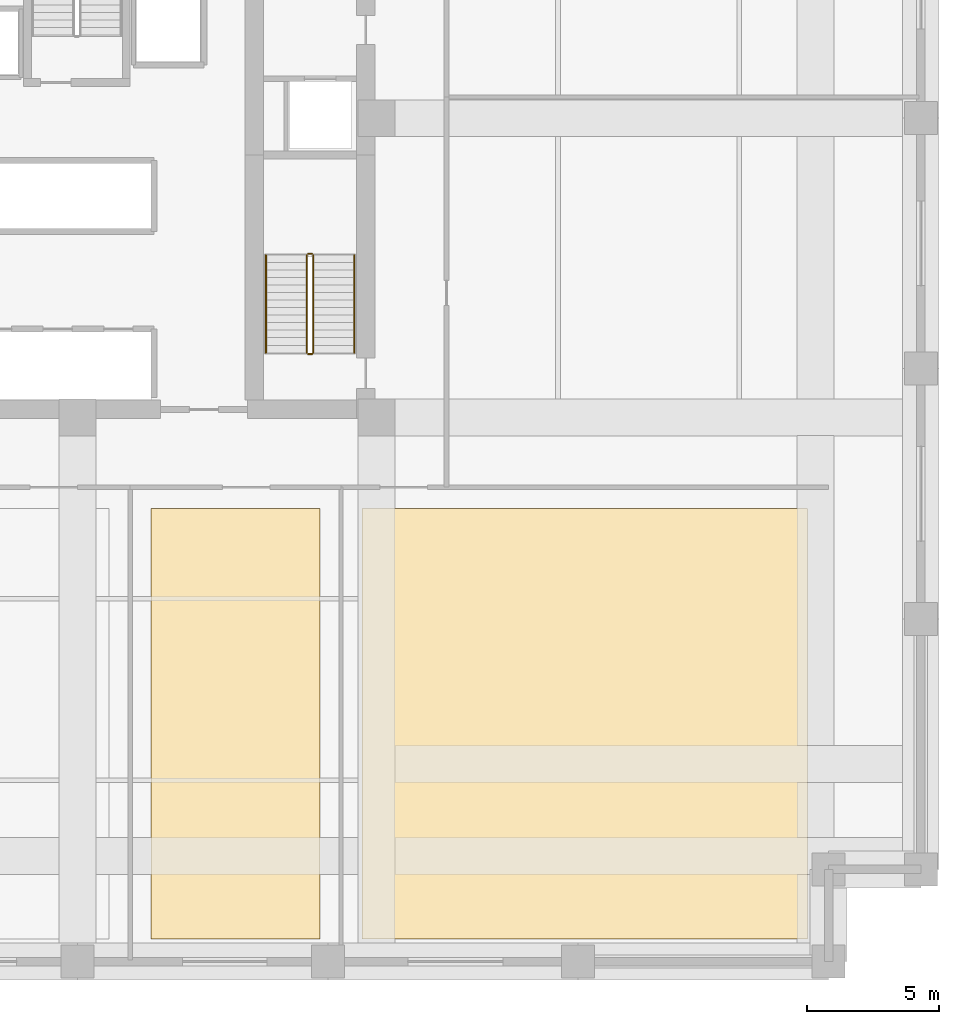
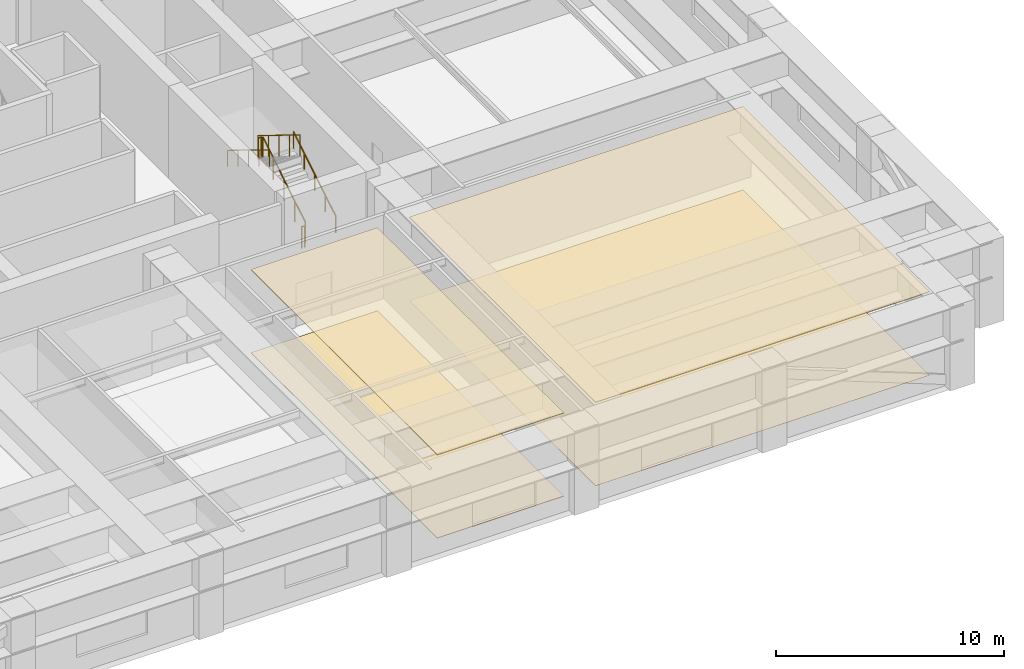
# One storey, part 7 of 8: 6 railings, 4 coverings.
"""IFC4 building model written with IfcOpenShell, lengths in metres."""

import ifcopenshell
import ifcopenshell.guid

model = None  # the IFC model being written
_history = None  # IfcOwnerHistory: only IFC2X3 demands one
_inside = {}  # id of a spatial element -> (the spatial element, [elements in it])
_under = {}  # id of a project, library or spatial element -> (it, [spatial elements below it])
_declared = {}  # id of a project -> (the project, [libraries it declares])
_typed = {}  # id of a type object -> (the type object, [elements of that type])
_made_of = {}  # id of a material, layer set ... -> (it, [elements and type objects made of it])


def new_model(schema):
    """Start an empty IFC model of exactly this schema.

    Asked for "IFC4X3", IfcOpenShell would pick the latest addendum, in which some entities
    have other attributes; the version numbers below select the first issue.
    IFC2X3 requires an IfcOwnerHistory on every rooted entity: one is made here for all.
    """
    global model, _history
    if schema == "IFC4X3":
        model = ifcopenshell.file(schema_version=(4, 3, 0, 0))
    else:
        model = ifcopenshell.file(schema=schema)
    _inside.clear()
    _under.clear()
    _declared.clear()
    _typed.clear()
    _made_of.clear()
    _history = None
    if model.schema == "IFC2X3":
        org = make("IfcOrganization", Name="unknown")
        user = make(
            "IfcPersonAndOrganization",
            ThePerson=make("IfcPerson", FamilyName="unknown"),
            TheOrganization=org,
        )
        app = make(
            "IfcApplication",
            ApplicationDeveloper=org,
            Version="unknown",
            ApplicationFullName="unknown",
            ApplicationIdentifier="unknown",
        )
        _history = make(
            "IfcOwnerHistory",
            OwningUser=user,
            OwningApplication=app,
            ChangeAction="ADDED",
            CreationDate=0,
        )
    return model


def make(cls, **values):
    """One entity of the class cls with the attributes given. An attribute that is None is left unset."""
    return model.create_entity(
        cls, **{name: value for name, value in values.items() if value is not None}
    )


def rooted(cls, **values):
    """An entity with a GlobalId (a new one), such as an element, a storey or a relation."""
    return make(cls, GlobalId=ifcopenshell.guid.new(), OwnerHistory=_history, **values)


def si_unit(unit_type, name, prefix=None):
    """IfcSIUnit, for example si_unit("LENGTHUNIT", "METRE", prefix="MILLI")."""
    return make("IfcSIUnit", UnitType=unit_type, Prefix=prefix, Name=name)


def assignment(units):
    """IfcUnitAssignment: the units of a project."""
    return None if units is None else make("IfcUnitAssignment", Units=units)


def point(xyz):
    """IfcCartesianPoint."""
    return None if xyz is None else make("IfcCartesianPoint", Coordinates=xyz)


def direction(xyz):
    """IfcDirection."""
    return None if xyz is None else make("IfcDirection", DirectionRatios=xyz)


def frame(location, z_axis=None, x_axis=None):
    """IfcAxis2Placement3D, a coordinate frame: its origin and axes. An axis left out is left unset."""
    return make(
        "IfcAxis2Placement3D",
        Location=point(location),
        Axis=direction(z_axis),
        RefDirection=direction(x_axis),
    )


def frame_2d(location, x_axis=None):
    """IfcAxis2Placement2D, a coordinate frame in the plane: its origin and x axis."""
    return make(
        "IfcAxis2Placement2D", Location=point(location), RefDirection=direction(x_axis)
    )


def origin():
    """The frame at (0, 0, 0) with its axes left unset."""
    return frame((0.0, 0.0, 0.0))


def origin_2d():
    """The frame at (0, 0) in the plane with its x axis left unset."""
    return frame_2d((0.0, 0.0))


def place(relative_to, where):
    """IfcLocalPlacement: puts the frame where relative to a parent placement (None: the world)."""
    return make(
        "IfcLocalPlacement", PlacementRelTo=relative_to, RelativePlacement=where
    )


def context(
    kind, dimensions, precision=None, world=None, true_north=None, identifier=None
):
    """IfcGeometricRepresentationContext, for example the 3D "Model" context."""
    return make(
        "IfcGeometricRepresentationContext",
        ContextIdentifier=identifier,
        ContextType=kind,
        CoordinateSpaceDimension=dimensions,
        Precision=precision,
        WorldCoordinateSystem=world,
        TrueNorth=true_north,
    )


def subcontext(parent, identifier, kind, view, scale=None):
    """IfcGeometricRepresentationSubContext, for example "Body" below "Model"."""
    return make(
        "IfcGeometricRepresentationSubContext",
        ContextIdentifier=identifier,
        ContextType=kind,
        ParentContext=parent,
        TargetScale=scale,
        TargetView=view,
    )


def project(units=None, contexts=None):
    """IfcProject with its units and contexts."""
    return rooted(
        "IfcProject",
        Name="project",
        RepresentationContexts=contexts,
        UnitsInContext=assignment(units),
    )


def spatial(cls, under=None, at=None, **own):
    """A site, building, storey or space (cls), placed at a placement, below another one or the project."""
    s = rooted(cls, ObjectPlacement=at, **own)
    if under is not None:
        _under.setdefault(under.id(), (under, []))[1].append(s)
    return s


def polyline(points):
    """IfcPolyline through the points."""
    return make("IfcPolyline", Points=[point(p) for p in points])


def profile(cls, at=None, kind="AREA", **sizes):
    """A parametric profile (cls). Its sizes go by their IFC names, for example OverallWidth=200.0."""
    return make(cls, ProfileType=kind, Position=at, **sizes)


def circle(**sizes):
    """IfcCircleProfileDef."""
    return profile("IfcCircleProfileDef", **sizes)


def outline(outer, holes=None, kind="AREA"):
    """IfcArbitraryClosedProfileDef: a profile drawn as a closed curve; with holes, ...WithVoids."""
    if holes is None:
        return make("IfcArbitraryClosedProfileDef", ProfileType=kind, OuterCurve=outer)
    return make(
        "IfcArbitraryProfileDefWithVoids",
        ProfileType=kind,
        OuterCurve=outer,
        InnerCurves=holes,
    )


def extrude(swept, where, along, depth):
    """IfcExtrudedAreaSolid: the profile swept, set in the frame where, extruded along a direction by depth."""
    return make(
        "IfcExtrudedAreaSolid",
        SweptArea=swept,
        Position=where,
        ExtrudedDirection=direction(along),
        Depth=depth,
    )


def shape(context_of_items, identifier, shape_type, items):
    """IfcShapeRepresentation: the items that make up one representation, for example the "Body"."""
    return make(
        "IfcShapeRepresentation",
        ContextOfItems=context_of_items,
        RepresentationIdentifier=identifier,
        RepresentationType=shape_type,
        Items=items,
    )


def material(Name=None, Category=None):
    """IfcMaterial."""
    return make("IfcMaterial", Name=Name, Category=Category)


def layer(
    of_material, thickness, ventilated=None, Name=None, Category=None, Priority=None
):
    """IfcMaterialLayer: one layer of a wall or slab, of a material (None: an air gap)."""
    return make(
        "IfcMaterialLayer",
        Material=of_material,
        LayerThickness=thickness,
        IsVentilated=ventilated,
        Name=Name,
        Category=Category,
        Priority=Priority,
    )


def layer_set(layers, Name=None):
    """IfcMaterialLayerSet."""
    return make("IfcMaterialLayerSet", MaterialLayers=layers, LayerSetName=Name)


def made_of(thing, what):
    """Note that an element or type object is made of a material, layer set ...; save() writes the relation."""
    if what is not None:
        _made_of.setdefault(what.id(), (what, []))[1].append(thing)
    return thing


def type_object(cls, material=None, **own):
    """A type object (cls), such as IfcWallType, which elements share."""
    return made_of(rooted(cls, **own), material)


def element(
    cls,
    number,
    at=None,
    inside=None,
    cuts=None,
    type_object=None,
    material=None,
    context=None,
    identifier="Body",
    shape_type=None,
    held_by="IfcProductDefinitionShape",
    body=None,
    shapes=None,
    **own,
):
    """One element of the class cls, such as IfcWall. Its Tag is "e" and its number.

    at: its placement. inside: the storey or other place that contains it. cuts: it is an
    opening in that element (IfcRelVoidsElement). A single representation is given by context,
    identifier, shape_type and body (its items); several are given by shapes. held_by: the class
    of the entity that holds the representations. save() writes the other relations.
    """
    e = rooted(cls, Tag="e%d" % number, ObjectPlacement=at, **own)
    if body is not None:
        shapes = [shape(context, identifier, shape_type, body)]
    if shapes is not None:
        e.Representation = make(held_by, Representations=shapes)
    if inside is not None:
        _inside.setdefault(inside.id(), (inside, []))[1].append(e)
    if cuts is not None:
        rooted(
            "IfcRelVoidsElement", RelatingBuildingElement=cuts, RelatedOpeningElement=e
        )
    if type_object is not None:
        _typed.setdefault(type_object.id(), (type_object, []))[1].append(e)
    return made_of(e, material)


def aggregate(whole, parts):
    """IfcRelAggregates: a whole, such as a stair, and the parts it consists of."""
    return rooted("IfcRelAggregates", RelatingObject=whole, RelatedObjects=parts)


def save(model, path):
    """Write the relations noted so far, then the file.

    IfcRelAggregates (storeys below a building ...), IfcRelContainedInSpatialStructure (elements
    in a storey), IfcRelDefinesByType, IfcRelAssociatesMaterial and IfcRelDeclares: one each for
    every whole, place, type object, material and project.
    """
    for whole, parts in _under.values():
        aggregate(whole, parts)
    for where, things in _inside.values():
        rooted(
            "IfcRelContainedInSpatialStructure",
            RelatedElements=things,
            RelatingStructure=where,
        )
    for kind, things in _typed.values():
        rooted("IfcRelDefinesByType", RelatedObjects=things, RelatingType=kind)
    for what, things in _made_of.values():
        rooted("IfcRelAssociatesMaterial", RelatedObjects=things, RelatingMaterial=what)
    for by, libraries in _declared.values():
        rooted("IfcRelDeclares", RelatingContext=by, RelatedDefinitions=libraries)
    model.write(path)


model = new_model("IFC4")

# Units and contexts
model_context = context("Model", 3, precision=1e-05, world=origin(), true_north=direction((0.0, 1.0)))
body_context = subcontext(model_context, "Body", "Model", "MODEL_VIEW")
ifc_project = project(units=[si_unit("LENGTHUNIT", "METRE"), si_unit("AREAUNIT", "SQUARE_METRE"), si_unit("VOLUMEUNIT", "CUBIC_METRE"), si_unit("PLANEANGLEUNIT", "RADIAN"), si_unit("MASSUNIT", "GRAM", prefix="KILO")], contexts=[model_context])

# Site, building, storey
site_placement = place(None, origin())
site = spatial("IfcSite", under=ifc_project, at=site_placement, CompositionType="ELEMENT")
building_placement = place(site_placement, origin())
building = spatial("IfcBuilding", under=site, at=building_placement, Name="Nhamokura Convention Tower", CompositionType="ELEMENT")
storey_placement = place(building_placement, frame((0.0, 0.0, 29.39990234375)))
storey = spatial("IfcBuildingStorey", under=building, at=storey_placement, Name="L05", CompositionType="ELEMENT", Elevation=29.39990234375)

# Coverings
ifc_material_1 = material(Name="Anodised bronze aluminium ceiling baffle", Category="aluminium")
ifc_layer_1 = layer(ifc_material_1, 0.0400390625)
ifc_layer_set_1 = layer_set([ifc_layer_1], Name="BronzeBaffleCeiling_40")
covering_type_1 = type_object("IfcCoveringType", Name="BronzeBaffleCeiling_40", PredefinedType="CEILING", material=ifc_layer_set_1)
covering_1_placement = place(storey_placement, frame((0.0, 0.0, 4.440185546875)))
element("IfcCovering", 1, at=covering_1_placement, inside=storey, type_object=covering_type_1, Name="L05 Suspended Ceiling 05", PredefinedType="CEILING", context=body_context, shape_type="SweptSolid", body=[
    extrude(outline(polyline([(34.800048828125, 0.860107421875), (41.199951171875, 0.860107421875), (41.199951171875, 17.199951171875), (34.800048828125, 17.199951171875), (34.800048828125, 0.860107421875)])), origin(), (0.0, 0.0, 1.0), 0.039794921875),
])
covering_2_placement = place(storey_placement, frame((0.0, 0.0, 4.440185546875)))
element("IfcCovering", 2, at=covering_2_placement, inside=storey, type_object=covering_type_1, Name="L05 Suspended Ceiling 06", PredefinedType="CEILING", context=body_context, shape_type="SweptSolid", body=[
    extrude(outline(polyline([(42.800048828125, 0.860107421875), (59.699951171875, 0.860107421875), (59.699951171875, 17.199951171875), (42.800048828125, 17.199951171875), (42.800048828125, 0.860107421875)])), origin(), (0.0, 0.0, 1.0), 0.039794921875),
])
ifc_material_2 = material(Name="Polished Sabana granite terrazzo", Category="masonry")
ifc_layer_2 = layer(ifc_material_2, 0.030029296875)
ifc_layer_set_2 = layer_set([ifc_layer_2], Name="SabanaTerrazzoFlooring_30")
covering_type_2 = type_object("IfcCoveringType", Name="SabanaTerrazzoFlooring_30", PredefinedType="FLOORING", material=ifc_layer_set_2)
covering_3_placement = place(storey_placement, origin())
element("IfcCovering", 3, at=covering_3_placement, inside=storey, type_object=covering_type_2, Name="L05 Finish Flooring 05", PredefinedType="FLOORING", context=body_context, shape_type="SweptSolid", body=[
    extrude(outline(polyline([(34.800048828125, 0.860107421875), (41.199951171875, 0.860107421875), (41.199951171875, 17.199951171875), (34.800048828125, 17.199951171875), (34.800048828125, 0.860107421875)])), origin(), (0.0, 0.0, 1.0), 0.030029296875),
])

# Railings
ifc_material_3 = material(Name="Anodised bronze stainless steel", Category="steel")
railing_type_1 = type_object("IfcRailingType", Name="StairWallHandrail_900", PredefinedType="HANDRAIL", material=ifc_material_3)
railing_1_placement = place(storey_placement, frame((42.5, 23.10009765625, 0.175048828125)))
element("IfcRailing", 4, at=railing_1_placement, inside=storey, type_object=railing_type_1, Name="L05 ST-02 stair handrail 1", PredefinedType="HANDRAIL", context=body_context, shape_type="SweptSolid", body=[
    extrude(circle(Radius=0.02392578125, at=origin_2d()), frame((0.0, 0.0, 0.8759765625), z_axis=(0.0, 0.852145745541, 0.523304527361), x_axis=(-1.0, 0.0, 0.0)), (0.0, 0.0, 1.0), 4.34765625),
    extrude(circle(Radius=0.02099609375, at=origin_2d()), origin(), (0.0, 0.0, 1.0), 0.851806640625),
    extrude(circle(Radius=0.02099609375, at=origin_2d()), frame((0.0, 0.92626953125, 0.56884765625)), (0.0, 0.0, 1.0), 0.851806640625),
    extrude(circle(Radius=0.02099609375, at=origin_2d()), frame((0.0, 1.8525390625, 1.1376953125)), (0.0, 0.0, 1.0), 0.851806640625),
    extrude(circle(Radius=0.02099609375, at=origin_2d()), frame((0.0, 2.778564453125, 1.706298828125)), (0.0, 0.0, 1.0), 0.851806640625),
    extrude(circle(Radius=0.02099609375, at=origin_2d()), frame((0.0, 3.704833984375, 2.275146484375)), (0.0, 0.0, 1.0), 0.851806640625),
])
railing_2_placement = place(storey_placement, frame((39.14990234375, 26.804931640625, 2.625)))
element("IfcRailing", 5, at=railing_2_placement, inside=storey, type_object=railing_type_1, Name="L05 ST-02 stair handrail 2", PredefinedType="HANDRAIL", context=body_context, shape_type="SweptSolid", body=[
    extrude(circle(Radius=0.02392578125, at=origin_2d()), frame((0.0, 0.0, 0.8759765625), z_axis=(0.0, -0.852145745541, 0.523304527361), x_axis=(1.0, 0.0, 0.0)), (0.0, 0.0, 1.0), 4.34765625),
    extrude(circle(Radius=0.02099609375, at=origin_2d()), origin(), (0.0, 0.0, 1.0), 0.851806640625),
    extrude(circle(Radius=0.02099609375, at=origin_2d()), frame((0.0, -0.92626953125, 0.56884765625)), (0.0, 0.0, 1.0), 0.851806640625),
    extrude(circle(Radius=0.02099609375, at=origin_2d()), frame((0.0, -1.8525390625, 1.1376953125)), (0.0, 0.0, 1.0), 0.851806640625),
    extrude(circle(Radius=0.02099609375, at=origin_2d()), frame((0.0, -2.778564453125, 1.706298828125)), (0.0, 0.0, 1.0), 0.851806640625),
    extrude(circle(Radius=0.02099609375, at=origin_2d()), frame((0.0, -3.704833984375, 2.275146484375)), (0.0, 0.0, 1.0), 0.851806640625),
])
ifc_material_4 = material(Name="Painted tubular steel", Category="steel")
railing_type_2 = type_object("IfcRailingType", Name="StairWellGuardrail_1150", PredefinedType="GUARDRAIL", material=ifc_material_4)
railing_3_placement = place(storey_placement, frame((40.949951171875, 23.10009765625, 0.175048828125)))
element("IfcRailing", 6, at=railing_3_placement, inside=storey, type_object=railing_type_2, Name="L05 ST-02 stair guard 1", PredefinedType="GUARDRAIL", context=body_context, shape_type="SweptSolid", body=[
    extrude(circle(Radius=0.02392578125, at=origin_2d()), frame((0.0, 0.0, 1.1259765625), z_axis=(0.0, 0.852145745541, 0.523304527361), x_axis=(-1.0, 0.0, 0.0)), (0.0, 0.0, 1.0), 4.34765625),
    extrude(circle(Radius=0.02099609375, at=origin_2d()), origin(), (0.0, 0.0, 1.0), 1.101806640625),
    extrude(circle(Radius=0.02099609375, at=origin_2d()), frame((0.0, 0.92626953125, 0.56884765625)), (0.0, 0.0, 1.0), 1.101806640625),
    extrude(circle(Radius=0.02099609375, at=origin_2d()), frame((0.0, 1.8525390625, 1.1376953125)), (0.0, 0.0, 1.0), 1.101806640625),
    extrude(circle(Radius=0.02099609375, at=origin_2d()), frame((0.0, 2.778564453125, 1.706298828125)), (0.0, 0.0, 1.0), 1.101806640625),
    extrude(circle(Radius=0.02099609375, at=origin_2d()), frame((0.0, 3.704833984375, 2.275146484375)), (0.0, 0.0, 1.0), 1.101806640625),
])
railing_4_placement = place(storey_placement, frame((40.89990234375, 26.85498046875, 2.4501953125)))
element("IfcRailing", 7, at=railing_4_placement, inside=storey, type_object=railing_type_2, Name="L05 ST-02 stair guard 2", PredefinedType="GUARDRAIL", context=body_context, shape_type="SweptSolid", body=[
    extrude(circle(Radius=0.02392578125, at=origin_2d()), frame((0.0, 0.0, 1.1259765625), z_axis=(-1.0, 0.0, 0.0), x_axis=(0.0, -1.0, 0.0)), (0.0, 0.0, 1.0), 0.14990234375),
    extrude(circle(Radius=0.02099609375, at=origin_2d()), origin(), (0.0, 0.0, 1.0), 1.101806640625),
    extrude(circle(Radius=0.02099609375, at=origin_2d()), frame((-0.14990234375, 0.0, 0.0)), (0.0, 0.0, 1.0), 1.101806640625),
])
railing_5_placement = place(storey_placement, frame((40.699951171875, 26.804931640625, 2.625)))
element("IfcRailing", 8, at=railing_5_placement, inside=storey, type_object=railing_type_2, Name="L05 ST-02 stair guard 3", PredefinedType="GUARDRAIL", context=body_context, shape_type="SweptSolid", body=[
    extrude(circle(Radius=0.02392578125, at=origin_2d()), frame((0.0, 0.0, 1.1259765625), z_axis=(0.0, -0.852145745541, 0.523304527361), x_axis=(1.0, 0.0, 0.0)), (0.0, 0.0, 1.0), 4.34765625),
    extrude(circle(Radius=0.02099609375, at=origin_2d()), origin(), (0.0, 0.0, 1.0), 1.101806640625),
    extrude(circle(Radius=0.02099609375, at=origin_2d()), frame((0.0, -0.92626953125, 0.56884765625)), (0.0, 0.0, 1.0), 1.101806640625),
    extrude(circle(Radius=0.02099609375, at=origin_2d()), frame((0.0, -1.8525390625, 1.1376953125)), (0.0, 0.0, 1.0), 1.101806640625),
    extrude(circle(Radius=0.02099609375, at=origin_2d()), frame((0.0, -2.778564453125, 1.706298828125)), (0.0, 0.0, 1.0), 1.101806640625),
    extrude(circle(Radius=0.02099609375, at=origin_2d()), frame((0.0, -3.704833984375, 2.275146484375)), (0.0, 0.0, 1.0), 1.101806640625),
])
railing_6_placement = place(storey_placement, frame((40.89990234375, 23.050048828125, 0.0)))
element("IfcRailing", 9, at=railing_6_placement, inside=storey, type_object=railing_type_2, Name="L05 ST-02 stair guard 4", PredefinedType="GUARDRAIL", context=body_context, shape_type="SweptSolid", body=[
    extrude(circle(Radius=0.02392578125, at=origin_2d()), frame((0.0, 0.0, 1.1259765625), z_axis=(-1.0, 0.0, 0.0), x_axis=(0.0, -1.0, 0.0)), (0.0, 0.0, 1.0), 0.14990234375),
    extrude(circle(Radius=0.02099609375, at=origin_2d()), origin(), (0.0, 0.0, 1.0), 1.101806640625),
    extrude(circle(Radius=0.02099609375, at=origin_2d()), frame((-0.14990234375, 0.0, 0.0)), (0.0, 0.0, 1.0), 1.101806640625),
])

# Covering
ifc_material_5 = material(Name="Acoustic woven hospitality carpet", Category="wood")
ifc_layer_3 = layer(ifc_material_5, 0.014892578125)
ifc_layer_set_3 = layer_set([ifc_layer_3], Name="WovenCarpetFlooring_15")
covering_type_3 = type_object("IfcCoveringType", Name="WovenCarpetFlooring_15", PredefinedType="FLOORING", material=ifc_layer_set_3)
covering_4_placement = place(storey_placement, origin())
element("IfcCovering", 10, at=covering_4_placement, inside=storey, type_object=covering_type_3, Name="L05 Finish Flooring 06", PredefinedType="FLOORING", context=body_context, shape_type="SweptSolid", body=[
    extrude(outline(polyline([(42.800048828125, 0.860107421875), (59.699951171875, 0.860107421875), (59.699951171875, 17.199951171875), (42.800048828125, 17.199951171875), (42.800048828125, 0.860107421875)])), origin(), (0.0, 0.0, 1.0), 0.01513671875),
])

save(model, "model.ifc")
